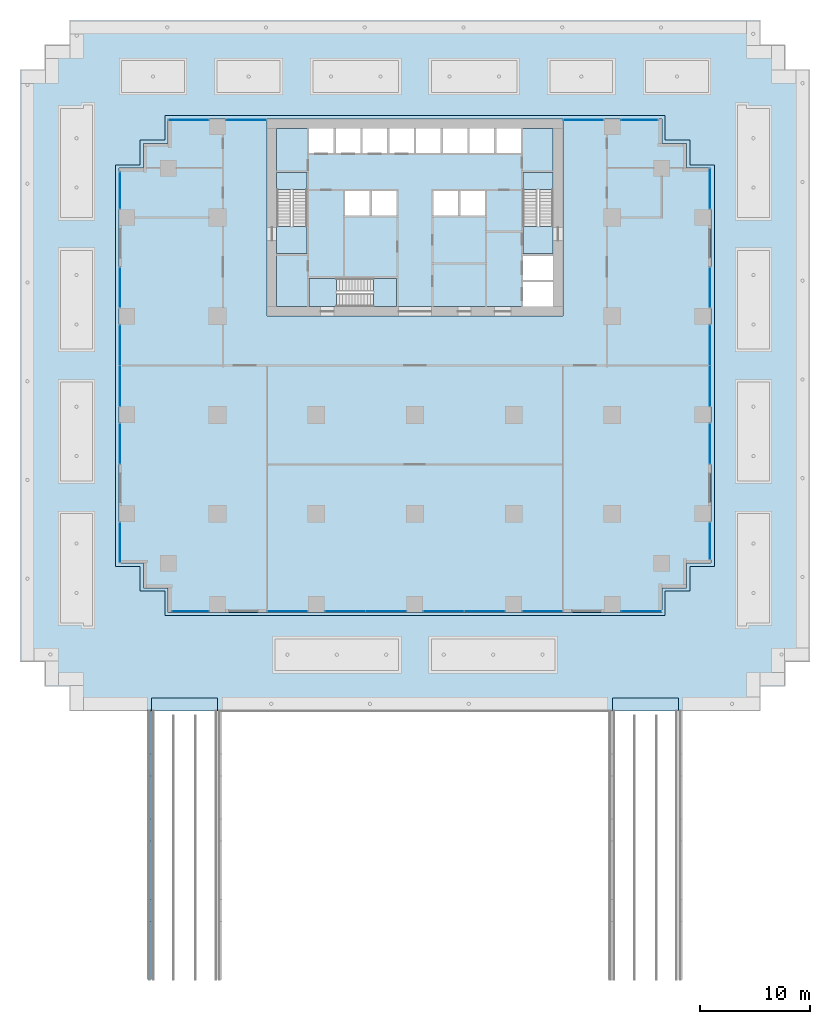
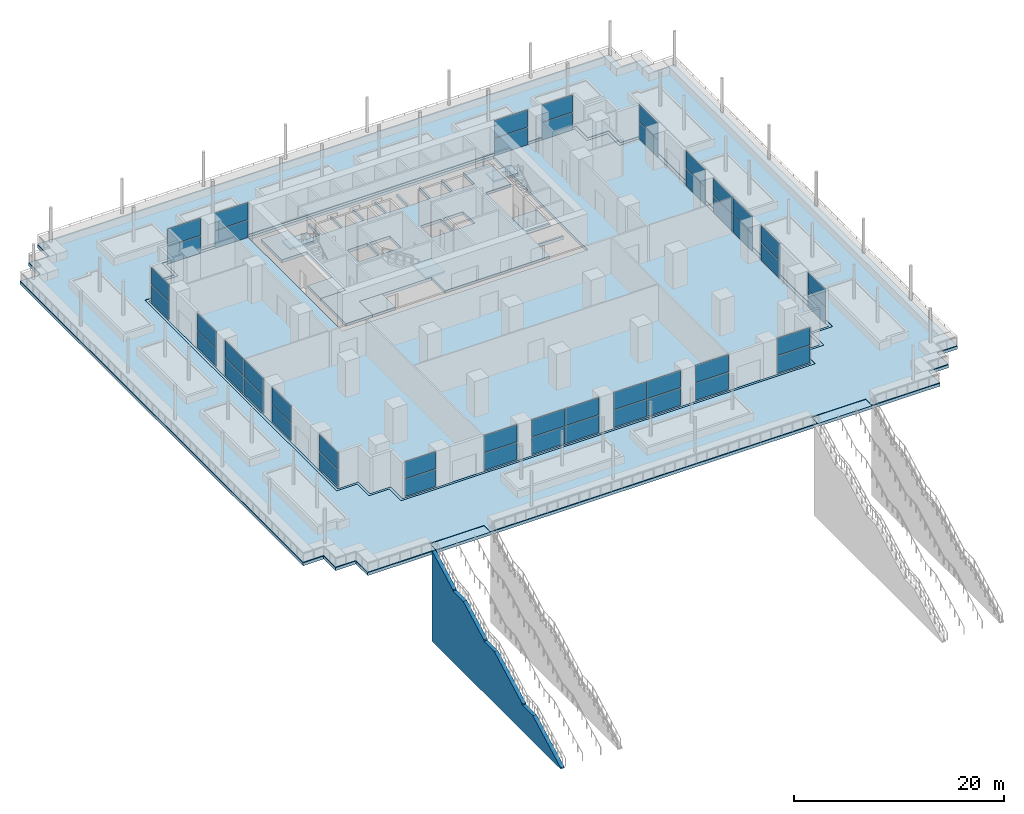
# One storey, part 8 of 18: 48 plates, 10 slabs, 1 wall, 23 elements without a shape of their own.
"""IFC4 building model written with IfcOpenShell, lengths in metres."""

from ifc_helpers import new_model, si_unit, direction, frame, origin, origin_2d, place, context, subcontext, project, spatial, polyline, rectangle, outline, extrude, material, layer, layer_set, type_object, element, aggregate, save


model = new_model("IFC4")

# Units and contexts
model_context = context("Model", 3, precision=1e-05, world=origin(), true_north=direction((0.0, 1.0)))
body_context = subcontext(model_context, "Body", "Model", "MODEL_VIEW")
ifc_project = project(units=[si_unit("LENGTHUNIT", "METRE"), si_unit("AREAUNIT", "SQUARE_METRE"), si_unit("VOLUMEUNIT", "CUBIC_METRE"), si_unit("PLANEANGLEUNIT", "RADIAN"), si_unit("MASSUNIT", "GRAM", prefix="KILO")], contexts=[model_context])

# Site, building, storey
site_placement = place(None, origin())
site = spatial("IfcSite", under=ifc_project, at=site_placement, CompositionType="ELEMENT")
building_placement = place(site_placement, origin())
building = spatial("IfcBuilding", under=site, at=building_placement, Name="Orbiselva Terraces", CompositionType="ELEMENT")
storey_placement = place(building_placement, frame((0.0, 0.0, 10.5)))
storey = spatial("IfcBuildingStorey", under=building, at=storey_placement, Name="L02", CompositionType="ELEMENT", Elevation=10.5)

# Slabs
ifc_material_1 = material(Name="Concrete C40/50", Category="concrete")
ifc_layer_1 = layer(ifc_material_1, 0.35)
ifc_layer_set_1 = layer_set([ifc_layer_1], Name="Concrete C40/50")
slab_type_1 = type_object("IfcSlabType", Name="CORE-SLAB-FLOOR-350", PredefinedType="FLOOR", material=ifc_layer_set_1)
slab_1_placement = place(storey_placement, frame((0.0, 0.0, -0.35)))
element("IfcSlab", 1, at=slab_1_placement, inside=storey, type_object=slab_type_1, Name="L02 S1 floor landing", PredefinedType="FLOOR", context=body_context, shape_type="SweptSolid", body=[
    extrude(outline(polyline([(-12.6, 12.7), (-9.85, 12.7), (-9.85, 10.2), (-12.6, 10.2), (-12.6, 12.7)])), origin(), (0.0, 0.0, 1.0), 0.35),
])
slab_2_placement = place(storey_placement, frame((0.0, 0.0, -0.35)))
element("IfcSlab", 2, at=slab_2_placement, inside=storey, type_object=slab_type_1, Name="L02 S2 floor landing", PredefinedType="FLOOR", context=body_context, shape_type="SweptSolid", body=[
    extrude(outline(polyline([(12.6, 12.7), (12.6, 10.2), (9.85, 10.2), (9.85, 12.7), (12.6, 12.7)])), origin(), (0.0, 0.0, 1.0), 0.35),
])
slab_3_placement = place(storey_placement, frame((0.0, 0.0, -0.35)))
element("IfcSlab", 3, at=slab_3_placement, inside=storey, type_object=slab_type_1, Name="L02 S3 floor landing", PredefinedType="FLOOR", context=body_context, shape_type="SweptSolid", body=[
    extrude(outline(polyline([(-7.15, 5.4), (-9.65, 5.4), (-9.65, 7.95), (-7.15, 7.95), (-7.15, 5.4)])), origin(), (0.0, 0.0, 1.0), 0.35),
])
slab_4_placement = place(storey_placement, frame((0.0, 0.0, -0.35)))
element("IfcSlab", 4, at=slab_4_placement, inside=storey, type_object=slab_type_1, Name="L02 core floor slab 1", PredefinedType="FLOOR", context=body_context, shape_type="SweptSolid", body=[
    extrude(outline(polyline([(-1.7, 5.4), (-1.7, 7.95), (-9.65, 7.95), (-9.65, 5.4), (-12.6, 5.4), (-12.6, 10.2), (-9.85, 10.2), (-9.85, 17.6), (-12.6, 17.6), (-12.6, 21.6), (-9.65, 21.6), (-9.65, 19.4), (-7.4125, 19.4), (-7.4125, 21.6), (-7.2125, 21.6), (-7.2125, 19.4), (-4.975, 19.4), (-4.975, 21.6), (-4.775, 21.6), (-4.775, 19.4), (-2.5375, 19.4), (-2.5375, 21.6), (-2.3375, 21.6), (-2.3375, 19.4), (-0.1, 19.4), (-0.1, 21.6), (0.1, 21.6), (0.1, 19.4), (2.3375, 19.4), (2.3375, 21.6), (2.5375, 21.6), (2.5375, 19.4), (4.775, 19.4), (4.775, 21.6), (4.975, 21.6), (4.975, 19.4), (7.2125, 19.4), (7.2125, 21.6), (7.4125, 21.6), (7.4125, 19.4), (9.65, 19.4), (9.65, 21.6), (12.6, 21.6), (12.6, 17.6), (9.85, 17.6), (9.85, 10.2), (12.6, 10.2), (12.6, 10.0), (9.85, 10.0), (9.85, 7.8), (12.6, 7.8), (12.6, 7.6), (9.85, 7.6), (9.85, 5.4), (-1.7, 5.4)]), holes=[polyline([(-4.1375, 13.7), (-4.1375, 15.9), (-6.375, 15.9), (-6.375, 13.7), (-4.1375, 13.7)]), polyline([(-1.7, 13.7), (-1.7, 15.9), (-3.9375, 15.9), (-3.9375, 13.7), (-1.7, 13.7)]), polyline([(3.9375, 13.7), (3.9375, 15.9), (1.7, 15.9), (1.7, 13.7), (3.9375, 13.7)]), polyline([(6.375, 13.7), (6.375, 15.9), (4.1375, 15.9), (4.1375, 13.7), (6.375, 13.7)])]), origin(), (0.0, 0.0, 1.0), 0.35),
])

# Stair, slab
stair_type_1 = type_object("IfcStairType", Name="CORE-STAIR-1300", PredefinedType="HALF_TURN_STAIR", material=ifc_material_1)
stair_1_placement = place(storey_placement, origin())
stair_1 = element("IfcStair", 5, at=stair_1_placement, inside=storey, type_object=stair_type_1, Name="L02 Exit Stair S1", PredefinedType="HALF_TURN_STAIR")
ifc_layer_2 = layer(ifc_material_1, 0.2)
ifc_layer_set_2 = layer_set([ifc_layer_2], Name="Concrete C40/50")
slab_type_2 = type_object("IfcSlabType", Name="CORE-STAIR-LANDING-200", PredefinedType="LANDING", material=ifc_layer_set_2)
slab_5_placement = place(storey_placement, frame((0.0, 0.0, 2.05)))
slab_5 = element("IfcSlab", 6, at=slab_5_placement, type_object=slab_type_2, Name="S1 landing 1", PredefinedType="LANDING", context=body_context, shape_type="SweptSolid", body=[
    extrude(outline(polyline([(-9.85, 16.06), (-9.85, 17.6), (-12.6, 17.6), (-12.6, 16.06), (-9.85, 16.06)])), origin(), (0.0, 0.0, 1.0), 0.2),
])
aggregate(stair_1, [slab_5])

stair_2_placement = place(storey_placement, origin())
stair_2 = element("IfcStair", 7, at=stair_2_placement, inside=storey, type_object=stair_type_1, Name="L02 Exit Stair S2", PredefinedType="HALF_TURN_STAIR")
slab_6_placement = place(storey_placement, frame((0.0, 0.0, 2.05)))
slab_6 = element("IfcSlab", 8, at=slab_6_placement, type_object=slab_type_2, Name="S2 landing 1", PredefinedType="LANDING", context=body_context, shape_type="SweptSolid", body=[
    extrude(outline(polyline([(12.6, 16.06), (12.6, 17.6), (9.85, 17.6), (9.85, 16.06), (12.6, 16.06)])), origin(), (0.0, 0.0, 1.0), 0.2),
])
aggregate(stair_2, [slab_6])

stair_type_2 = type_object("IfcStairType", Name="CORE-STAIR-1200", PredefinedType="HALF_TURN_STAIR", material=ifc_material_1)
stair_3_placement = place(storey_placement, origin())
stair_3 = element("IfcStair", 9, at=stair_3_placement, inside=storey, type_object=stair_type_2, Name="L02 Exit Stair S3", PredefinedType="HALF_TURN_STAIR")
slab_7_placement = place(storey_placement, frame((0.0, 0.0, 2.05)))
slab_7 = element("IfcSlab", 10, at=slab_7_placement, type_object=slab_type_2, Name="S3 landing 1", PredefinedType="LANDING", context=body_context, shape_type="SweptSolid", body=[
    extrude(outline(polyline([(-3.79, 5.4), (-1.7, 5.4), (-1.7, 7.95), (-3.79, 7.95), (-3.79, 5.4)])), origin(), (0.0, 0.0, 1.0), 0.2),
])
aggregate(stair_3, [slab_7])

# Curtain wall, plates
ifc_material_2 = material(Name="Clear low-e glazing in aluminium frame", Category="aluminium")
curtain_wall_type = type_object("IfcCurtainWallType", Name="ENV-CW-PAVILION", PredefinedType="NOTDEFINED", material=ifc_material_2)
curtain_wall_1_placement = place(storey_placement, origin())
curtain_wall_1 = element("IfcCurtainWall", 11, at=curtain_wall_1_placement, inside=storey, type_object=curtain_wall_type, Name="Curtain wall L02 S", PredefinedType="NOTDEFINED")
ifc_material_3 = material(Name="Clear low-e glass", Category="glass")
ifc_layer_3 = layer(ifc_material_3, 0.028)
ifc_layer_set_3 = layer_set([ifc_layer_3], Name="Clear low-e glass")
plate_type = type_object("IfcPlateType", Name="ENV-CW-PAVILION-PANEL-28", PredefinedType="CURTAIN_PANEL", material=ifc_layer_set_3)
plate_1_placement = place(storey_placement, frame((-20.475, -22.4, 0.065), z_axis=(0.0, 0.0, 1.0), x_axis=(1.0, 0.0, 0.0)))
plate_1 = element("IfcPlate", 12, at=plate_1_placement, type_object=plate_type, Name="CW2 panel 1.1", PredefinedType="CURTAIN_PANEL", context=body_context, shape_type="SweptSolid", body=[
    extrude(rectangle(XDim=3.32, YDim=0.028, at=origin_2d()), origin(), (0.0, 0.0, 1.0), 2.0025),
])
plate_2_placement = place(storey_placement, frame((-20.475, -22.4, 2.1325), z_axis=(0.0, 0.0, 1.0), x_axis=(1.0, 0.0, 0.0)))
plate_2 = element("IfcPlate", 13, at=plate_2_placement, type_object=plate_type, Name="CW2 panel 1.2", PredefinedType="CURTAIN_PANEL", context=body_context, shape_type="SweptSolid", body=[
    extrude(rectangle(XDim=3.32, YDim=0.028, at=origin_2d()), origin(), (0.0, 0.0, 1.0), 2.0025),
])
aggregate(curtain_wall_1, [plate_1, plate_2])

curtain_wall_2_placement = place(storey_placement, origin())
curtain_wall_2 = element("IfcCurtainWall", 14, at=curtain_wall_2_placement, inside=storey, type_object=curtain_wall_type, Name="Curtain wall L02 S", PredefinedType="NOTDEFINED")
plate_3_placement = place(storey_placement, frame((-11.625, -22.4, 0.065), z_axis=(0.0, 0.0, 1.0), x_axis=(1.0, 0.0, 0.0)))
plate_3 = element("IfcPlate", 15, at=plate_3_placement, type_object=plate_type, Name="CW2 panel 1.1", PredefinedType="CURTAIN_PANEL", context=body_context, shape_type="SweptSolid", body=[
    extrude(rectangle(XDim=3.62, YDim=0.028, at=origin_2d()), origin(), (0.0, 0.0, 1.0), 2.0025),
])
plate_4_placement = place(storey_placement, frame((-11.625, -22.4, 2.1325), z_axis=(0.0, 0.0, 1.0), x_axis=(1.0, 0.0, 0.0)))
plate_4 = element("IfcPlate", 16, at=plate_4_placement, type_object=plate_type, Name="CW2 panel 1.2", PredefinedType="CURTAIN_PANEL", context=body_context, shape_type="SweptSolid", body=[
    extrude(rectangle(XDim=3.62, YDim=0.028, at=origin_2d()), origin(), (0.0, 0.0, 1.0), 2.0025),
])
aggregate(curtain_wall_2, [plate_3, plate_4])

curtain_wall_3_placement = place(storey_placement, origin())
curtain_wall_3 = element("IfcCurtainWall", 17, at=curtain_wall_3_placement, inside=storey, type_object=curtain_wall_type, Name="Curtain wall L02 S", PredefinedType="NOTDEFINED")
plate_5_placement = place(storey_placement, frame((-6.35875, -22.4, 0.065), z_axis=(0.0, 0.0, 1.0), x_axis=(1.0, 0.0, 0.0)))
plate_5 = element("IfcPlate", 18, at=plate_5_placement, type_object=plate_type, Name="CW2 panel 1.1", PredefinedType="CURTAIN_PANEL", context=body_context, shape_type="SweptSolid", body=[
    extrude(rectangle(XDim=3.6525, YDim=0.028, at=origin_2d()), origin(), (0.0, 0.0, 1.0), 2.0025),
])
plate_6_placement = place(storey_placement, frame((-6.35875, -22.4, 2.1325), z_axis=(0.0, 0.0, 1.0), x_axis=(1.0, 0.0, 0.0)))
plate_6 = element("IfcPlate", 19, at=plate_6_placement, type_object=plate_type, Name="CW2 panel 1.2", PredefinedType="CURTAIN_PANEL", context=body_context, shape_type="SweptSolid", body=[
    extrude(rectangle(XDim=3.6525, YDim=0.028, at=origin_2d()), origin(), (0.0, 0.0, 1.0), 2.0025),
])
plate_7_placement = place(storey_placement, frame((-2.64125, -22.4, 0.065), z_axis=(0.0, 0.0, 1.0), x_axis=(1.0, 0.0, 0.0)))
plate_7 = element("IfcPlate", 20, at=plate_7_placement, type_object=plate_type, Name="CW2 panel 2.1", PredefinedType="CURTAIN_PANEL", context=body_context, shape_type="SweptSolid", body=[
    extrude(rectangle(XDim=3.6525, YDim=0.028, at=origin_2d()), origin(), (0.0, 0.0, 1.0), 2.0025),
])
plate_8_placement = place(storey_placement, frame((-2.64125, -22.4, 2.1325), z_axis=(0.0, 0.0, 1.0), x_axis=(1.0, 0.0, 0.0)))
plate_8 = element("IfcPlate", 21, at=plate_8_placement, type_object=plate_type, Name="CW2 panel 2.2", PredefinedType="CURTAIN_PANEL", context=body_context, shape_type="SweptSolid", body=[
    extrude(rectangle(XDim=3.6525, YDim=0.028, at=origin_2d()), origin(), (0.0, 0.0, 1.0), 2.0025),
])
aggregate(curtain_wall_3, [plate_5, plate_6, plate_7, plate_8])

curtain_wall_4_placement = place(storey_placement, origin())
curtain_wall_4 = element("IfcCurtainWall", 22, at=curtain_wall_4_placement, inside=storey, type_object=curtain_wall_type, Name="Curtain wall L02 S", PredefinedType="NOTDEFINED")
plate_9_placement = place(storey_placement, frame((2.64125, -22.4, 0.065), z_axis=(0.0, 0.0, 1.0), x_axis=(1.0, 0.0, 0.0)))
plate_9 = element("IfcPlate", 23, at=plate_9_placement, type_object=plate_type, Name="CW2 panel 1.1", PredefinedType="CURTAIN_PANEL", context=body_context, shape_type="SweptSolid", body=[
    extrude(rectangle(XDim=3.6525, YDim=0.028, at=origin_2d()), origin(), (0.0, 0.0, 1.0), 2.0025),
])
plate_10_placement = place(storey_placement, frame((2.64125, -22.4, 2.1325), z_axis=(0.0, 0.0, 1.0), x_axis=(1.0, 0.0, 0.0)))
plate_10 = element("IfcPlate", 24, at=plate_10_placement, type_object=plate_type, Name="CW2 panel 1.2", PredefinedType="CURTAIN_PANEL", context=body_context, shape_type="SweptSolid", body=[
    extrude(rectangle(XDim=3.6525, YDim=0.028, at=origin_2d()), origin(), (0.0, 0.0, 1.0), 2.0025),
])
plate_11_placement = place(storey_placement, frame((6.35875, -22.4, 0.065), z_axis=(0.0, 0.0, 1.0), x_axis=(1.0, 0.0, 0.0)))
plate_11 = element("IfcPlate", 25, at=plate_11_placement, type_object=plate_type, Name="CW2 panel 2.1", PredefinedType="CURTAIN_PANEL", context=body_context, shape_type="SweptSolid", body=[
    extrude(rectangle(XDim=3.6525, YDim=0.028, at=origin_2d()), origin(), (0.0, 0.0, 1.0), 2.0025),
])
plate_12_placement = place(storey_placement, frame((6.35875, -22.4, 2.1325), z_axis=(0.0, 0.0, 1.0), x_axis=(1.0, 0.0, 0.0)))
plate_12 = element("IfcPlate", 26, at=plate_12_placement, type_object=plate_type, Name="CW2 panel 2.2", PredefinedType="CURTAIN_PANEL", context=body_context, shape_type="SweptSolid", body=[
    extrude(rectangle(XDim=3.6525, YDim=0.028, at=origin_2d()), origin(), (0.0, 0.0, 1.0), 2.0025),
])
aggregate(curtain_wall_4, [plate_9, plate_10, plate_11, plate_12])

curtain_wall_5_placement = place(storey_placement, origin())
curtain_wall_5 = element("IfcCurtainWall", 27, at=curtain_wall_5_placement, inside=storey, type_object=curtain_wall_type, Name="Curtain wall L02 S", PredefinedType="NOTDEFINED")
plate_13_placement = place(storey_placement, frame((11.625, -22.4, 0.065), z_axis=(0.0, 0.0, 1.0), x_axis=(1.0, 0.0, 0.0)))
plate_13 = element("IfcPlate", 28, at=plate_13_placement, type_object=plate_type, Name="CW2 panel 1.1", PredefinedType="CURTAIN_PANEL", context=body_context, shape_type="SweptSolid", body=[
    extrude(rectangle(XDim=3.62, YDim=0.028, at=origin_2d()), origin(), (0.0, 0.0, 1.0), 2.0025),
])
plate_14_placement = place(storey_placement, frame((11.625, -22.4, 2.1325), z_axis=(0.0, 0.0, 1.0), x_axis=(1.0, 0.0, 0.0)))
plate_14 = element("IfcPlate", 29, at=plate_14_placement, type_object=plate_type, Name="CW2 panel 1.2", PredefinedType="CURTAIN_PANEL", context=body_context, shape_type="SweptSolid", body=[
    extrude(rectangle(XDim=3.62, YDim=0.028, at=origin_2d()), origin(), (0.0, 0.0, 1.0), 2.0025),
])
aggregate(curtain_wall_5, [plate_13, plate_14])

curtain_wall_6_placement = place(storey_placement, origin())
curtain_wall_6 = element("IfcCurtainWall", 30, at=curtain_wall_6_placement, inside=storey, type_object=curtain_wall_type, Name="Curtain wall L02 S", PredefinedType="NOTDEFINED")
plate_15_placement = place(storey_placement, frame((20.625, -22.4, 0.065), z_axis=(0.0, 0.0, 1.0), x_axis=(1.0, 0.0, 0.0)))
plate_15 = element("IfcPlate", 31, at=plate_15_placement, type_object=plate_type, Name="CW2 panel 1.1", PredefinedType="CURTAIN_PANEL", context=body_context, shape_type="SweptSolid", body=[
    extrude(rectangle(XDim=3.62, YDim=0.028, at=origin_2d()), origin(), (0.0, 0.0, 1.0), 2.0025),
])
plate_16_placement = place(storey_placement, frame((20.625, -22.4, 2.1325), z_axis=(0.0, 0.0, 1.0), x_axis=(1.0, 0.0, 0.0)))
plate_16 = element("IfcPlate", 32, at=plate_16_placement, type_object=plate_type, Name="CW2 panel 1.2", PredefinedType="CURTAIN_PANEL", context=body_context, shape_type="SweptSolid", body=[
    extrude(rectangle(XDim=3.62, YDim=0.028, at=origin_2d()), origin(), (0.0, 0.0, 1.0), 2.0025),
])
aggregate(curtain_wall_6, [plate_15, plate_16])

curtain_wall_7_placement = place(storey_placement, origin())
curtain_wall_7 = element("IfcCurtainWall", 33, at=curtain_wall_7_placement, inside=storey, type_object=curtain_wall_type, Name="Curtain wall L02 E", PredefinedType="NOTDEFINED")
plate_17_placement = place(storey_placement, frame((26.9, -15.975, 0.065), z_axis=(0.0, 0.0, 1.0), x_axis=(0.0, 1.0, 0.0)))
plate_17 = element("IfcPlate", 34, at=plate_17_placement, type_object=plate_type, Name="CW2 panel 1.1", PredefinedType="CURTAIN_PANEL", context=body_context, shape_type="SweptSolid", body=[
    extrude(rectangle(XDim=3.32, YDim=0.028, at=origin_2d()), origin(), (0.0, 0.0, 1.0), 2.0025),
])
plate_18_placement = place(storey_placement, frame((26.9, -15.975, 2.1325), z_axis=(0.0, 0.0, 1.0), x_axis=(0.0, 1.0, 0.0)))
plate_18 = element("IfcPlate", 35, at=plate_18_placement, type_object=plate_type, Name="CW2 panel 1.2", PredefinedType="CURTAIN_PANEL", context=body_context, shape_type="SweptSolid", body=[
    extrude(rectangle(XDim=3.32, YDim=0.028, at=origin_2d()), origin(), (0.0, 0.0, 1.0), 2.0025),
])
aggregate(curtain_wall_7, [plate_17, plate_18])

curtain_wall_8_placement = place(storey_placement, origin())
curtain_wall_8 = element("IfcCurtainWall", 36, at=curtain_wall_8_placement, inside=storey, type_object=curtain_wall_type, Name="Curtain wall L02 E", PredefinedType="NOTDEFINED")
plate_19_placement = place(storey_placement, frame((26.9, -7.125, 0.065), z_axis=(0.0, 0.0, 1.0), x_axis=(0.0, 1.0, 0.0)))
plate_19 = element("IfcPlate", 37, at=plate_19_placement, type_object=plate_type, Name="CW2 panel 1.1", PredefinedType="CURTAIN_PANEL", context=body_context, shape_type="SweptSolid", body=[
    extrude(rectangle(XDim=3.62, YDim=0.028, at=origin_2d()), origin(), (0.0, 0.0, 1.0), 2.0025),
])
plate_20_placement = place(storey_placement, frame((26.9, -7.125, 2.1325), z_axis=(0.0, 0.0, 1.0), x_axis=(0.0, 1.0, 0.0)))
plate_20 = element("IfcPlate", 38, at=plate_20_placement, type_object=plate_type, Name="CW2 panel 1.2", PredefinedType="CURTAIN_PANEL", context=body_context, shape_type="SweptSolid", body=[
    extrude(rectangle(XDim=3.62, YDim=0.028, at=origin_2d()), origin(), (0.0, 0.0, 1.0), 2.0025),
])
aggregate(curtain_wall_8, [plate_19, plate_20])

curtain_wall_9_placement = place(storey_placement, origin())
curtain_wall_9 = element("IfcCurtainWall", 39, at=curtain_wall_9_placement, inside=storey, type_object=curtain_wall_type, Name="Curtain wall L02 E", PredefinedType="NOTDEFINED")
plate_21_placement = place(storey_placement, frame((26.9, -1.85875, 0.065), z_axis=(0.0, 0.0, 1.0), x_axis=(0.0, 1.0, 0.0)))
plate_21 = element("IfcPlate", 40, at=plate_21_placement, type_object=plate_type, Name="CW2 panel 1.1", PredefinedType="CURTAIN_PANEL", context=body_context, shape_type="SweptSolid", body=[
    extrude(rectangle(XDim=3.6525, YDim=0.028, at=origin_2d()), origin(), (0.0, 0.0, 1.0), 2.0025),
])
plate_22_placement = place(storey_placement, frame((26.9, -1.85875, 2.1325), z_axis=(0.0, 0.0, 1.0), x_axis=(0.0, 1.0, 0.0)))
plate_22 = element("IfcPlate", 41, at=plate_22_placement, type_object=plate_type, Name="CW2 panel 1.2", PredefinedType="CURTAIN_PANEL", context=body_context, shape_type="SweptSolid", body=[
    extrude(rectangle(XDim=3.6525, YDim=0.028, at=origin_2d()), origin(), (0.0, 0.0, 1.0), 2.0025),
])
plate_23_placement = place(storey_placement, frame((26.9, 1.85875, 0.065), z_axis=(0.0, 0.0, 1.0), x_axis=(0.0, 1.0, 0.0)))
plate_23 = element("IfcPlate", 42, at=plate_23_placement, type_object=plate_type, Name="CW2 panel 2.1", PredefinedType="CURTAIN_PANEL", context=body_context, shape_type="SweptSolid", body=[
    extrude(rectangle(XDim=3.6525, YDim=0.028, at=origin_2d()), origin(), (0.0, 0.0, 1.0), 2.0025),
])
plate_24_placement = place(storey_placement, frame((26.9, 1.85875, 2.1325), z_axis=(0.0, 0.0, 1.0), x_axis=(0.0, 1.0, 0.0)))
plate_24 = element("IfcPlate", 43, at=plate_24_placement, type_object=plate_type, Name="CW2 panel 2.2", PredefinedType="CURTAIN_PANEL", context=body_context, shape_type="SweptSolid", body=[
    extrude(rectangle(XDim=3.6525, YDim=0.028, at=origin_2d()), origin(), (0.0, 0.0, 1.0), 2.0025),
])
aggregate(curtain_wall_9, [plate_21, plate_22, plate_23, plate_24])

curtain_wall_10_placement = place(storey_placement, origin())
curtain_wall_10 = element("IfcCurtainWall", 44, at=curtain_wall_10_placement, inside=storey, type_object=curtain_wall_type, Name="Curtain wall L02 E", PredefinedType="NOTDEFINED")
plate_25_placement = place(storey_placement, frame((26.9, 7.125, 0.065), z_axis=(0.0, 0.0, 1.0), x_axis=(0.0, 1.0, 0.0)))
plate_25 = element("IfcPlate", 45, at=plate_25_placement, type_object=plate_type, Name="CW2 panel 1.1", PredefinedType="CURTAIN_PANEL", context=body_context, shape_type="SweptSolid", body=[
    extrude(rectangle(XDim=3.62, YDim=0.028, at=origin_2d()), origin(), (0.0, 0.0, 1.0), 2.0025),
])
plate_26_placement = place(storey_placement, frame((26.9, 7.125, 2.1325), z_axis=(0.0, 0.0, 1.0), x_axis=(0.0, 1.0, 0.0)))
plate_26 = element("IfcPlate", 46, at=plate_26_placement, type_object=plate_type, Name="CW2 panel 1.2", PredefinedType="CURTAIN_PANEL", context=body_context, shape_type="SweptSolid", body=[
    extrude(rectangle(XDim=3.62, YDim=0.028, at=origin_2d()), origin(), (0.0, 0.0, 1.0), 2.0025),
])
aggregate(curtain_wall_10, [plate_25, plate_26])

curtain_wall_11_placement = place(storey_placement, origin())
curtain_wall_11 = element("IfcCurtainWall", 47, at=curtain_wall_11_placement, inside=storey, type_object=curtain_wall_type, Name="Curtain wall L02 E", PredefinedType="NOTDEFINED")
plate_27_placement = place(storey_placement, frame((26.9, 16.125, 0.065), z_axis=(0.0, 0.0, 1.0), x_axis=(0.0, 1.0, 0.0)))
plate_27 = element("IfcPlate", 48, at=plate_27_placement, type_object=plate_type, Name="CW2 panel 1.1", PredefinedType="CURTAIN_PANEL", context=body_context, shape_type="SweptSolid", body=[
    extrude(rectangle(XDim=3.62, YDim=0.028, at=origin_2d()), origin(), (0.0, 0.0, 1.0), 2.0025),
])
plate_28_placement = place(storey_placement, frame((26.9, 16.125, 2.1325), z_axis=(0.0, 0.0, 1.0), x_axis=(0.0, 1.0, 0.0)))
plate_28 = element("IfcPlate", 49, at=plate_28_placement, type_object=plate_type, Name="CW2 panel 1.2", PredefinedType="CURTAIN_PANEL", context=body_context, shape_type="SweptSolid", body=[
    extrude(rectangle(XDim=3.62, YDim=0.028, at=origin_2d()), origin(), (0.0, 0.0, 1.0), 2.0025),
])
aggregate(curtain_wall_11, [plate_27, plate_28])

curtain_wall_12_placement = place(storey_placement, origin())
curtain_wall_12 = element("IfcCurtainWall", 50, at=curtain_wall_12_placement, inside=storey, type_object=curtain_wall_type, Name="Curtain wall L02 NE", PredefinedType="NOTDEFINED")
plate_29_placement = place(storey_placement, frame((20.475, 22.4, 0.065), z_axis=(0.0, 0.0, 1.0), x_axis=(-1.0, 0.0, 0.0)))
plate_29 = element("IfcPlate", 51, at=plate_29_placement, type_object=plate_type, Name="CW2 panel 1.1", PredefinedType="CURTAIN_PANEL", context=body_context, shape_type="SweptSolid", body=[
    extrude(rectangle(XDim=3.32, YDim=0.028, at=origin_2d()), origin(), (0.0, 0.0, 1.0), 2.0025),
])
plate_30_placement = place(storey_placement, frame((20.475, 22.4, 2.1325), z_axis=(0.0, 0.0, 1.0), x_axis=(-1.0, 0.0, 0.0)))
plate_30 = element("IfcPlate", 52, at=plate_30_placement, type_object=plate_type, Name="CW2 panel 1.2", PredefinedType="CURTAIN_PANEL", context=body_context, shape_type="SweptSolid", body=[
    extrude(rectangle(XDim=3.32, YDim=0.028, at=origin_2d()), origin(), (0.0, 0.0, 1.0), 2.0025),
])
aggregate(curtain_wall_12, [plate_29, plate_30])

curtain_wall_13_placement = place(storey_placement, origin())
curtain_wall_13 = element("IfcCurtainWall", 53, at=curtain_wall_13_placement, inside=storey, type_object=curtain_wall_type, Name="Curtain wall L02 NE", PredefinedType="NOTDEFINED")
plate_31_placement = place(storey_placement, frame((15.375, 22.4, 0.065), z_axis=(0.0, 0.0, 1.0), x_axis=(-1.0, 0.0, 0.0)))
plate_31 = element("IfcPlate", 54, at=plate_31_placement, type_object=plate_type, Name="CW2 panel 1.1", PredefinedType="CURTAIN_PANEL", context=body_context, shape_type="SweptSolid", body=[
    extrude(rectangle(XDim=3.62, YDim=0.028, at=origin_2d()), origin(), (0.0, 0.0, 1.0), 2.0025),
])
plate_32_placement = place(storey_placement, frame((15.375, 22.4, 2.1325), z_axis=(0.0, 0.0, 1.0), x_axis=(-1.0, 0.0, 0.0)))
plate_32 = element("IfcPlate", 55, at=plate_32_placement, type_object=plate_type, Name="CW2 panel 1.2", PredefinedType="CURTAIN_PANEL", context=body_context, shape_type="SweptSolid", body=[
    extrude(rectangle(XDim=3.62, YDim=0.028, at=origin_2d()), origin(), (0.0, 0.0, 1.0), 2.0025),
])
aggregate(curtain_wall_13, [plate_31, plate_32])

curtain_wall_14_placement = place(storey_placement, origin())
curtain_wall_14 = element("IfcCurtainWall", 56, at=curtain_wall_14_placement, inside=storey, type_object=curtain_wall_type, Name="Curtain wall L02 NW", PredefinedType="NOTDEFINED")
plate_33_placement = place(storey_placement, frame((-15.375, 22.4, 0.065), z_axis=(0.0, 0.0, 1.0), x_axis=(-1.0, 0.0, 0.0)))
plate_33 = element("IfcPlate", 57, at=plate_33_placement, type_object=plate_type, Name="CW2 panel 1.1", PredefinedType="CURTAIN_PANEL", context=body_context, shape_type="SweptSolid", body=[
    extrude(rectangle(XDim=3.62, YDim=0.028, at=origin_2d()), origin(), (0.0, 0.0, 1.0), 2.0025),
])
plate_34_placement = place(storey_placement, frame((-15.375, 22.4, 2.1325), z_axis=(0.0, 0.0, 1.0), x_axis=(-1.0, 0.0, 0.0)))
plate_34 = element("IfcPlate", 58, at=plate_34_placement, type_object=plate_type, Name="CW2 panel 1.2", PredefinedType="CURTAIN_PANEL", context=body_context, shape_type="SweptSolid", body=[
    extrude(rectangle(XDim=3.62, YDim=0.028, at=origin_2d()), origin(), (0.0, 0.0, 1.0), 2.0025),
])
aggregate(curtain_wall_14, [plate_33, plate_34])

curtain_wall_15_placement = place(storey_placement, origin())
curtain_wall_15 = element("IfcCurtainWall", 59, at=curtain_wall_15_placement, inside=storey, type_object=curtain_wall_type, Name="Curtain wall L02 NW", PredefinedType="NOTDEFINED")
plate_35_placement = place(storey_placement, frame((-20.625, 22.4, 0.065), z_axis=(0.0, 0.0, 1.0), x_axis=(-1.0, 0.0, 0.0)))
plate_35 = element("IfcPlate", 60, at=plate_35_placement, type_object=plate_type, Name="CW2 panel 1.1", PredefinedType="CURTAIN_PANEL", context=body_context, shape_type="SweptSolid", body=[
    extrude(rectangle(XDim=3.62, YDim=0.028, at=origin_2d()), origin(), (0.0, 0.0, 1.0), 2.0025),
])
plate_36_placement = place(storey_placement, frame((-20.625, 22.4, 2.1325), z_axis=(0.0, 0.0, 1.0), x_axis=(-1.0, 0.0, 0.0)))
plate_36 = element("IfcPlate", 61, at=plate_36_placement, type_object=plate_type, Name="CW2 panel 1.2", PredefinedType="CURTAIN_PANEL", context=body_context, shape_type="SweptSolid", body=[
    extrude(rectangle(XDim=3.62, YDim=0.028, at=origin_2d()), origin(), (0.0, 0.0, 1.0), 2.0025),
])
aggregate(curtain_wall_15, [plate_35, plate_36])

curtain_wall_16_placement = place(storey_placement, origin())
curtain_wall_16 = element("IfcCurtainWall", 62, at=curtain_wall_16_placement, inside=storey, type_object=curtain_wall_type, Name="Curtain wall L02 W", PredefinedType="NOTDEFINED")
plate_37_placement = place(storey_placement, frame((-26.9, 15.975, 0.065), z_axis=(0.0, 0.0, 1.0), x_axis=(0.0, -1.0, 0.0)))
plate_37 = element("IfcPlate", 63, at=plate_37_placement, type_object=plate_type, Name="CW2 panel 1.1", PredefinedType="CURTAIN_PANEL", context=body_context, shape_type="SweptSolid", body=[
    extrude(rectangle(XDim=3.32, YDim=0.028, at=origin_2d()), origin(), (0.0, 0.0, 1.0), 2.0025),
])
plate_38_placement = place(storey_placement, frame((-26.9, 15.975, 2.1325), z_axis=(0.0, 0.0, 1.0), x_axis=(0.0, -1.0, 0.0)))
plate_38 = element("IfcPlate", 64, at=plate_38_placement, type_object=plate_type, Name="CW2 panel 1.2", PredefinedType="CURTAIN_PANEL", context=body_context, shape_type="SweptSolid", body=[
    extrude(rectangle(XDim=3.32, YDim=0.028, at=origin_2d()), origin(), (0.0, 0.0, 1.0), 2.0025),
])
aggregate(curtain_wall_16, [plate_37, plate_38])

curtain_wall_17_placement = place(storey_placement, origin())
curtain_wall_17 = element("IfcCurtainWall", 65, at=curtain_wall_17_placement, inside=storey, type_object=curtain_wall_type, Name="Curtain wall L02 W", PredefinedType="NOTDEFINED")
plate_39_placement = place(storey_placement, frame((-26.9, 7.125, 0.065), z_axis=(0.0, 0.0, 1.0), x_axis=(0.0, -1.0, 0.0)))
plate_39 = element("IfcPlate", 66, at=plate_39_placement, type_object=plate_type, Name="CW2 panel 1.1", PredefinedType="CURTAIN_PANEL", context=body_context, shape_type="SweptSolid", body=[
    extrude(rectangle(XDim=3.62, YDim=0.028, at=origin_2d()), origin(), (0.0, 0.0, 1.0), 2.0025),
])
plate_40_placement = place(storey_placement, frame((-26.9, 7.125, 2.1325), z_axis=(0.0, 0.0, 1.0), x_axis=(0.0, -1.0, 0.0)))
plate_40 = element("IfcPlate", 67, at=plate_40_placement, type_object=plate_type, Name="CW2 panel 1.2", PredefinedType="CURTAIN_PANEL", context=body_context, shape_type="SweptSolid", body=[
    extrude(rectangle(XDim=3.62, YDim=0.028, at=origin_2d()), origin(), (0.0, 0.0, 1.0), 2.0025),
])
aggregate(curtain_wall_17, [plate_39, plate_40])

curtain_wall_18_placement = place(storey_placement, origin())
curtain_wall_18 = element("IfcCurtainWall", 68, at=curtain_wall_18_placement, inside=storey, type_object=curtain_wall_type, Name="Curtain wall L02 W", PredefinedType="NOTDEFINED")
plate_41_placement = place(storey_placement, frame((-26.9, 1.85875, 0.065), z_axis=(0.0, 0.0, 1.0), x_axis=(0.0, -1.0, 0.0)))
plate_41 = element("IfcPlate", 69, at=plate_41_placement, type_object=plate_type, Name="CW2 panel 1.1", PredefinedType="CURTAIN_PANEL", context=body_context, shape_type="SweptSolid", body=[
    extrude(rectangle(XDim=3.6525, YDim=0.028, at=origin_2d()), origin(), (0.0, 0.0, 1.0), 2.0025),
])
plate_42_placement = place(storey_placement, frame((-26.9, 1.85875, 2.1325), z_axis=(0.0, 0.0, 1.0), x_axis=(0.0, -1.0, 0.0)))
plate_42 = element("IfcPlate", 70, at=plate_42_placement, type_object=plate_type, Name="CW2 panel 1.2", PredefinedType="CURTAIN_PANEL", context=body_context, shape_type="SweptSolid", body=[
    extrude(rectangle(XDim=3.6525, YDim=0.028, at=origin_2d()), origin(), (0.0, 0.0, 1.0), 2.0025),
])
plate_43_placement = place(storey_placement, frame((-26.9, -1.85875, 0.065), z_axis=(0.0, 0.0, 1.0), x_axis=(0.0, -1.0, 0.0)))
plate_43 = element("IfcPlate", 71, at=plate_43_placement, type_object=plate_type, Name="CW2 panel 2.1", PredefinedType="CURTAIN_PANEL", context=body_context, shape_type="SweptSolid", body=[
    extrude(rectangle(XDim=3.6525, YDim=0.028, at=origin_2d()), origin(), (0.0, 0.0, 1.0), 2.0025),
])
plate_44_placement = place(storey_placement, frame((-26.9, -1.85875, 2.1325), z_axis=(0.0, 0.0, 1.0), x_axis=(0.0, -1.0, 0.0)))
plate_44 = element("IfcPlate", 72, at=plate_44_placement, type_object=plate_type, Name="CW2 panel 2.2", PredefinedType="CURTAIN_PANEL", context=body_context, shape_type="SweptSolid", body=[
    extrude(rectangle(XDim=3.6525, YDim=0.028, at=origin_2d()), origin(), (0.0, 0.0, 1.0), 2.0025),
])
aggregate(curtain_wall_18, [plate_41, plate_42, plate_43, plate_44])

curtain_wall_19_placement = place(storey_placement, origin())
curtain_wall_19 = element("IfcCurtainWall", 73, at=curtain_wall_19_placement, inside=storey, type_object=curtain_wall_type, Name="Curtain wall L02 W", PredefinedType="NOTDEFINED")
plate_45_placement = place(storey_placement, frame((-26.9, -7.125, 0.065), z_axis=(0.0, 0.0, 1.0), x_axis=(0.0, -1.0, 0.0)))
plate_45 = element("IfcPlate", 74, at=plate_45_placement, type_object=plate_type, Name="CW2 panel 1.1", PredefinedType="CURTAIN_PANEL", context=body_context, shape_type="SweptSolid", body=[
    extrude(rectangle(XDim=3.62, YDim=0.028, at=origin_2d()), origin(), (0.0, 0.0, 1.0), 2.0025),
])
plate_46_placement = place(storey_placement, frame((-26.9, -7.125, 2.1325), z_axis=(0.0, 0.0, 1.0), x_axis=(0.0, -1.0, 0.0)))
plate_46 = element("IfcPlate", 75, at=plate_46_placement, type_object=plate_type, Name="CW2 panel 1.2", PredefinedType="CURTAIN_PANEL", context=body_context, shape_type="SweptSolid", body=[
    extrude(rectangle(XDim=3.62, YDim=0.028, at=origin_2d()), origin(), (0.0, 0.0, 1.0), 2.0025),
])
aggregate(curtain_wall_19, [plate_45, plate_46])

curtain_wall_20_placement = place(storey_placement, origin())
curtain_wall_20 = element("IfcCurtainWall", 76, at=curtain_wall_20_placement, inside=storey, type_object=curtain_wall_type, Name="Curtain wall L02 W", PredefinedType="NOTDEFINED")
plate_47_placement = place(storey_placement, frame((-26.9, -16.125, 0.065), z_axis=(0.0, 0.0, 1.0), x_axis=(0.0, -1.0, 0.0)))
plate_47 = element("IfcPlate", 77, at=plate_47_placement, type_object=plate_type, Name="CW2 panel 1.1", PredefinedType="CURTAIN_PANEL", context=body_context, shape_type="SweptSolid", body=[
    extrude(rectangle(XDim=3.62, YDim=0.028, at=origin_2d()), origin(), (0.0, 0.0, 1.0), 2.0025),
])
plate_48_placement = place(storey_placement, frame((-26.9, -16.125, 2.1325), z_axis=(0.0, 0.0, 1.0), x_axis=(0.0, -1.0, 0.0)))
plate_48 = element("IfcPlate", 78, at=plate_48_placement, type_object=plate_type, Name="CW2 panel 1.2", PredefinedType="CURTAIN_PANEL", context=body_context, shape_type="SweptSolid", body=[
    extrude(rectangle(XDim=3.62, YDim=0.028, at=origin_2d()), origin(), (0.0, 0.0, 1.0), 2.0025),
])
aggregate(curtain_wall_20, [plate_47, plate_48])

# Slabs
ifc_material_4 = material(Name="Granite paving", Category="masonry")
ifc_layer_4 = layer(ifc_material_4, 0.05)
ifc_layer_set_4 = layer_set([ifc_layer_4], Name="Granite paving")
slab_type_3 = type_object("IfcSlabType", Name="ENV-PAVING-DECK-50", PredefinedType="USERDEFINED", material=ifc_layer_set_4)
slab_8_placement = place(storey_placement, origin())
element("IfcSlab", 79, at=slab_8_placement, inside=storey, type_object=slab_type_3, Name="Garden deck paving", ObjectType="PAVING", PredefinedType="USERDEFINED", context=body_context, shape_type="SweptSolid", body=[
    extrude(outline(polyline([(-33.75, -27.0), (-33.75, -29.25), (-31.5, -29.25), (-31.5, -31.5), (-24.0, -31.5), (-24.0, -30.3), (-18.0, -30.3), (-18.0, -31.5), (18.0, -31.5), (18.0, -30.3), (24.0, -30.3), (24.0, -31.5), (31.5, -31.5), (31.5, -29.25), (33.75, -29.25), (33.75, -27.0), (36.0, -27.0), (36.0, 27.0), (33.75, 27.0), (33.75, 29.25), (31.5, 29.25), (31.5, 31.5), (-31.5, 31.5), (-31.5, 29.25), (-33.75, 29.25), (-33.75, 27.0), (-36.0, 27.0), (-36.0, -27.0), (-33.75, -27.0)]), holes=[polyline([(22.8, -20.55), (22.8, -22.8), (-22.8, -22.8), (-22.8, -20.55), (-25.05, -20.55), (-25.05, -18.3), (-27.3, -18.3), (-27.3, 18.3), (-25.05, 18.3), (-25.05, 20.55), (-22.8, 20.55), (-22.8, 22.8), (22.8, 22.8), (22.8, 20.55), (25.05, 20.55), (25.05, 18.3), (27.3, 18.3), (27.3, -18.3), (25.05, -18.3), (25.05, -20.55), (22.8, -20.55)])]), origin(), (0.0, 0.0, 1.0), 0.05),
])
ifc_material_5 = material(Name="Concrete C50/60", Category="concrete")
ifc_layer_5 = layer(ifc_material_5, 0.35)
ifc_layer_set_5 = layer_set([ifc_layer_5], Name="Concrete C50/60")
slab_type_4 = type_object("IfcSlabType", Name="FLOOR SLAB 350", PredefinedType="FLOOR", material=ifc_layer_set_5)
slab_9_placement = place(storey_placement, frame((0.0, 0.0, -0.35)))
element("IfcSlab", 80, at=slab_9_placement, inside=storey, type_object=slab_type_4, Name="Floor slab L02", PredefinedType="FLOOR", context=body_context, shape_type="SweptSolid", body=[
    extrude(outline(polyline([(22.5, 22.5), (22.5, 20.25), (24.75, 20.25), (24.75, 18.0), (27.0, 18.0), (27.0, -18.0), (24.75, -18.0), (24.75, -20.25), (22.5, -20.25), (22.5, -22.5), (-22.5, -22.5), (-22.5, -20.25), (-24.75, -20.25), (-24.75, -18.0), (-27.0, -18.0), (-27.0, 18.0), (-24.75, 18.0), (-24.75, 20.25), (-22.5, 20.25), (-22.5, 22.5), (-13.5, 22.5), (-13.5, 4.5), (13.5, 4.5), (13.5, 22.5), (22.5, 22.5)])), origin(), (0.0, 0.0, 1.0), 0.35),
])
ifc_layer_6 = layer(ifc_material_5, 0.35)
ifc_layer_set_6 = layer_set([ifc_layer_6], Name="Concrete C50/60")
slab_type_5 = type_object("IfcSlabType", Name="GARDEN DECK SLAB 350", PredefinedType="FLOOR", material=ifc_layer_set_6)
slab_10_placement = place(storey_placement, frame((0.0, 0.0, -0.35)))
element("IfcSlab", 81, at=slab_10_placement, inside=storey, type_object=slab_type_5, Name="Garden deck slab", PredefinedType="FLOOR", context=body_context, shape_type="SweptSolid", body=[
    extrude(outline(polyline([(-31.5, -31.5), (31.5, -31.5), (31.5, -29.25), (33.75, -29.25), (33.75, -27.0), (36.0, -27.0), (36.0, 27.0), (33.75, 27.0), (33.75, 29.25), (31.5, 29.25), (31.5, 31.5), (-31.5, 31.5), (-31.5, 29.25), (-33.75, 29.25), (-33.75, 27.0), (-36.0, 27.0), (-36.0, -27.0), (-33.75, -27.0), (-33.75, -29.25), (-31.5, -29.25), (-31.5, -31.5)]), holes=[polyline([(-22.5, -20.25), (-24.75, -20.25), (-24.75, -18.0), (-27.0, -18.0), (-27.0, 18.0), (-24.75, 18.0), (-24.75, 20.25), (-22.5, 20.25), (-22.5, 22.5), (22.5, 22.5), (22.5, 20.25), (24.75, 20.25), (24.75, 18.0), (27.0, 18.0), (27.0, -18.0), (24.75, -18.0), (24.75, -20.25), (22.5, -20.25), (22.5, -22.5), (-22.5, -22.5), (-22.5, -20.25)])]), origin(), (0.0, 0.0, 1.0), 0.35),
])

# Wall
ifc_layer_7 = layer(ifc_material_1, 0.4)
ifc_layer_set_7 = layer_set([ifc_layer_7], Name="Concrete C40/50")
wall_type = type_object("IfcWallType", Name="ENV-STAIR-CHEEK-400", PredefinedType="SOLIDWALL", material=ifc_layer_set_7)
wall_placement = place(storey_placement, frame((-24.2, -55.98, -10.5), z_axis=(0.0, 0.0, 1.0), x_axis=(0.0, 1.0, 0.0)))
element("IfcWall", 82, at=wall_placement, inside=storey, type_object=wall_type, Name="Stair cheek wall 1W", PredefinedType="SOLIDWALL", context=body_context, shape_type="SweptSolid", body=[
    extrude(outline(polyline([(0.0, 0.0), (24.566, 0.0), (24.566, 10.5), (24.48, 10.5), (20.56, 8.4), (20.56, 8.25), (18.56, 8.25), (14.64, 6.15), (14.64, 6.0), (12.64, 6.0), (7.32, 3.15), (7.32, 3.0), (5.32, 3.0), (0.0, 0.15), (0.0, 0.0), (0.0, 0.0)])), frame((0.0, 0.2, 0.0), z_axis=(0.0, -1.0, 0.0), x_axis=(1.0, 0.0, 0.0)), (0.0, 0.0, 1.0), 0.4),
])

save(model, "model.ifc")
